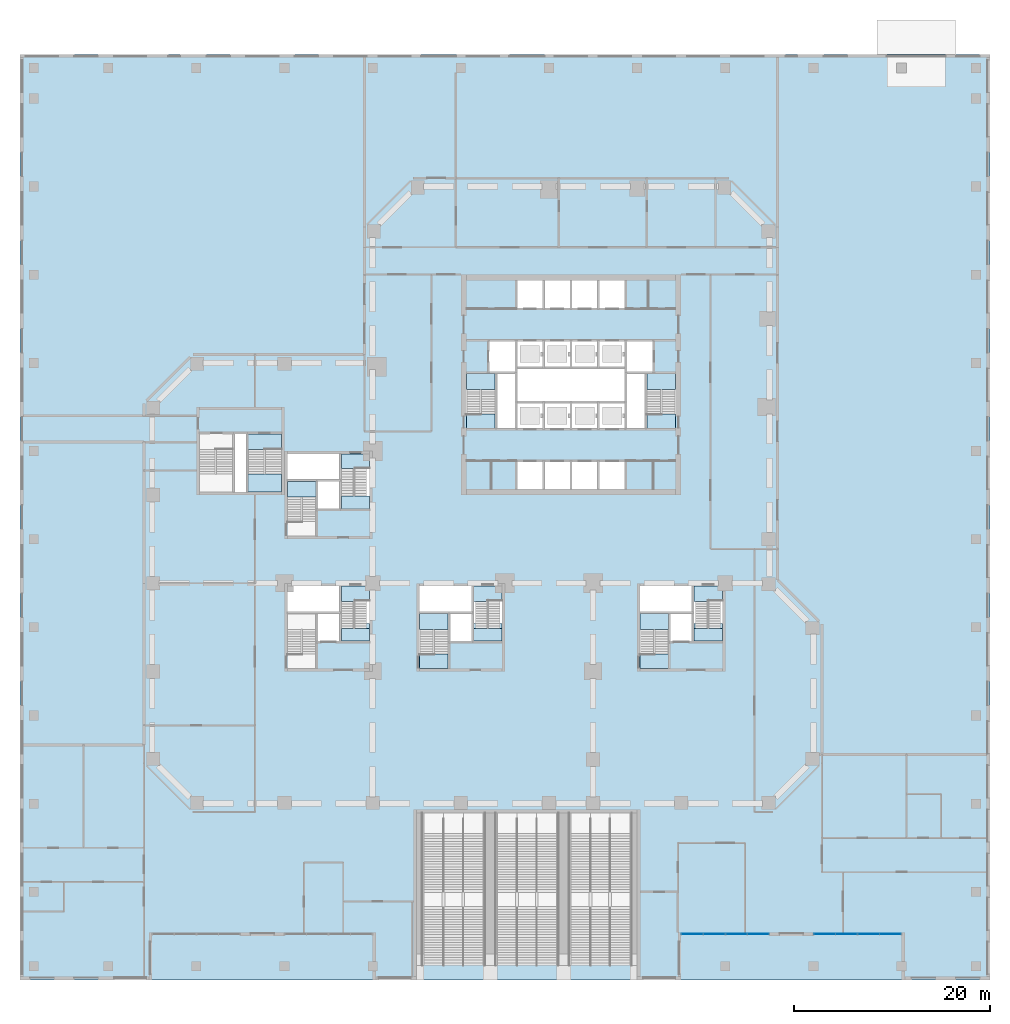
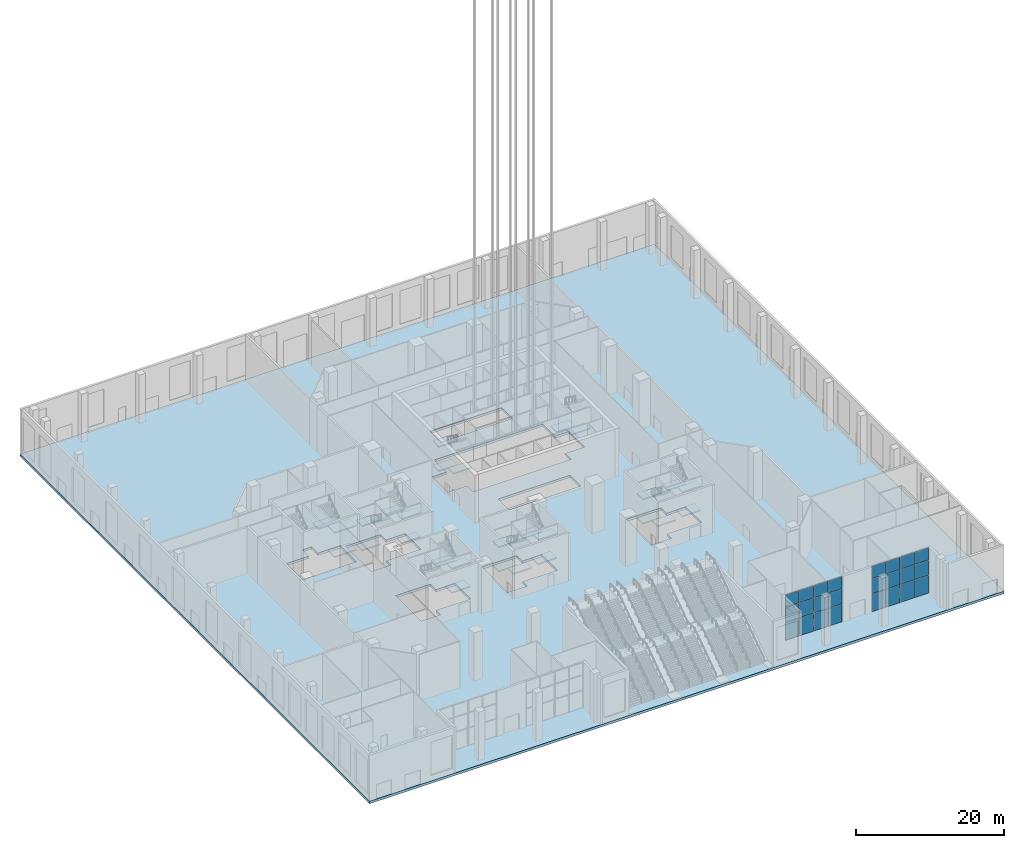
# One storey, part 6 of 32: 29 slabs, 24 plates, 14 elements without a shape of their own.
"""IFC4 building model written with IfcOpenShell, lengths in metres."""

from ifc_helpers import new_model, si_unit, direction, frame, origin, origin_2d, place, context, subcontext, project, spatial, polyline, rectangle, outline, extrude, material, layer, layer_set, constituent, constituent_set, type_object, element, aggregate, save


model = new_model("IFC4")

# Units and contexts
model_context = context("Model", 3, precision=1e-05, world=origin(), true_north=direction((0.0, 1.0)))
body_context = subcontext(model_context, "Body", "Model", "MODEL_VIEW")
ifc_project = project(units=[si_unit("LENGTHUNIT", "METRE"), si_unit("AREAUNIT", "SQUARE_METRE"), si_unit("VOLUMEUNIT", "CUBIC_METRE"), si_unit("PLANEANGLEUNIT", "RADIAN"), si_unit("MASSUNIT", "GRAM", prefix="KILO")], contexts=[model_context])

# Site, building, storey
site_placement = place(None, origin())
site = spatial("IfcSite", under=ifc_project, at=site_placement, CompositionType="ELEMENT")
building_placement = place(site_placement, origin())
building = spatial("IfcBuilding", under=site, at=building_placement, Name="Quoin Convention Tower", CompositionType="ELEMENT")
storey_placement = place(building_placement, origin())
storey = spatial("IfcBuildingStorey", under=building, at=storey_placement, Name="L00", CompositionType="ELEMENT", Elevation=0.0)

# Curtain wall, plates
ifc_material_1 = material(Name="Aluminium", Category="aluminium")
ifc_constituent_1 = constituent(ifc_material_1, Name="Frame")
ifc_material_2 = material(Name="Insulated glass", Category="glass")
ifc_constituent_2 = constituent(ifc_material_2, Name="Glazing")
ifc_constituent_set = constituent_set(constituents=[ifc_constituent_1, ifc_constituent_2], Name="Aluminium")
curtain_wall_type = type_object("IfcCurtainWallType", Name="Entrance wall system", PredefinedType="NOTDEFINED", material=ifc_constituent_set)
curtain_wall_1_placement = place(storey_placement, origin())
curtain_wall_1 = element("IfcCurtainWall", 1, at=curtain_wall_1_placement, inside=storey, type_object=curtain_wall_type, Name="cw-ENT-L00-67500_4675", PredefinedType="NOTDEFINED")
ifc_layer_1 = layer(ifc_material_2, 0.0439453125)
ifc_layer_set_1 = layer_set([ifc_layer_1], Name="Insulated glass")
plate_type = type_object("IfcPlateType", Name="Entrance wall glazing unit 44", PredefinedType="CURTAIN_PANEL", material=ifc_layer_set_1)
plate_1_placement = place(storey_placement, frame((68.643798828125, 4.675048828125, 0.06005859375), z_axis=(0.0, 0.0, 1.0), x_axis=(1.0, 0.0, 0.0)))
plate_1 = element("IfcPlate", 2, at=plate_1_placement, type_object=plate_type, Name="CW1 panel 1.1", PredefinedType="CURTAIN_PANEL", context=body_context, shape_type="SweptSolid", body=[
    extrude(rectangle(XDim=2.137451171875, YDim=0.0439453125, at=origin_2d()), origin(), (0.0, 0.0, 1.0), 2.909912109375),
])
plate_2_placement = place(storey_placement, frame((68.643798828125, 4.675048828125, 3.030029296875), z_axis=(0.0, 0.0, 1.0), x_axis=(1.0, 0.0, 0.0)))
plate_2 = element("IfcPlate", 3, at=plate_2_placement, type_object=plate_type, Name="CW1 panel 1.2", PredefinedType="CURTAIN_PANEL", context=body_context, shape_type="SweptSolid", body=[
    extrude(rectangle(XDim=2.137451171875, YDim=0.0439453125, at=origin_2d()), origin(), (0.0, 0.0, 1.0), 2.43994140625),
])
plate_3_placement = place(storey_placement, frame((68.643798828125, 4.675048828125, 5.530029296875), z_axis=(0.0, 0.0, 1.0), x_axis=(1.0, 0.0, 0.0)))
plate_3 = element("IfcPlate", 4, at=plate_3_placement, type_object=plate_type, Name="CW1 panel 1.3", PredefinedType="CURTAIN_PANEL", context=body_context, shape_type="SweptSolid", body=[
    extrude(rectangle(XDim=2.137451171875, YDim=0.0439453125, at=origin_2d()), origin(), (0.0, 0.0, 1.0), 2.0),
])
plate_4_placement = place(storey_placement, frame((70.856201171875, 4.675048828125, 0.06005859375), z_axis=(0.0, 0.0, 1.0), x_axis=(1.0, 0.0, 0.0)))
plate_4 = element("IfcPlate", 5, at=plate_4_placement, type_object=plate_type, Name="CW1 panel 2.1", PredefinedType="CURTAIN_PANEL", context=body_context, shape_type="SweptSolid", body=[
    extrude(rectangle(XDim=2.137451171875, YDim=0.0439453125, at=origin_2d()), origin(), (0.0, 0.0, 1.0), 2.909912109375),
])
plate_5_placement = place(storey_placement, frame((70.856201171875, 4.675048828125, 3.030029296875), z_axis=(0.0, 0.0, 1.0), x_axis=(1.0, 0.0, 0.0)))
plate_5 = element("IfcPlate", 6, at=plate_5_placement, type_object=plate_type, Name="CW1 panel 2.2", PredefinedType="CURTAIN_PANEL", context=body_context, shape_type="SweptSolid", body=[
    extrude(rectangle(XDim=2.137451171875, YDim=0.0439453125, at=origin_2d()), origin(), (0.0, 0.0, 1.0), 2.43994140625),
])
plate_6_placement = place(storey_placement, frame((70.856201171875, 4.675048828125, 5.530029296875), z_axis=(0.0, 0.0, 1.0), x_axis=(1.0, 0.0, 0.0)))
plate_6 = element("IfcPlate", 7, at=plate_6_placement, type_object=plate_type, Name="CW1 panel 2.3", PredefinedType="CURTAIN_PANEL", context=body_context, shape_type="SweptSolid", body=[
    extrude(rectangle(XDim=2.137451171875, YDim=0.0439453125, at=origin_2d()), origin(), (0.0, 0.0, 1.0), 2.0),
])
aggregate(curtain_wall_1, [plate_1, plate_2, plate_3, plate_4, plate_5, plate_6])

curtain_wall_2_placement = place(storey_placement, origin())
curtain_wall_2 = element("IfcCurtainWall", 8, at=curtain_wall_2_placement, inside=storey, type_object=curtain_wall_type, Name="cw-ENT-L00-72000_4675", PredefinedType="NOTDEFINED")
plate_7_placement = place(storey_placement, frame((73.143798828125, 4.675048828125, 0.06005859375), z_axis=(0.0, 0.0, 1.0), x_axis=(1.0, 0.0, 0.0)))
plate_7 = element("IfcPlate", 9, at=plate_7_placement, type_object=plate_type, Name="CW1 panel 1.1", PredefinedType="CURTAIN_PANEL", context=body_context, shape_type="SweptSolid", body=[
    extrude(rectangle(XDim=2.137451171875, YDim=0.0439453125, at=origin_2d()), origin(), (0.0, 0.0, 1.0), 2.909912109375),
])
plate_8_placement = place(storey_placement, frame((73.143798828125, 4.675048828125, 3.030029296875), z_axis=(0.0, 0.0, 1.0), x_axis=(1.0, 0.0, 0.0)))
plate_8 = element("IfcPlate", 10, at=plate_8_placement, type_object=plate_type, Name="CW1 panel 1.2", PredefinedType="CURTAIN_PANEL", context=body_context, shape_type="SweptSolid", body=[
    extrude(rectangle(XDim=2.137451171875, YDim=0.0439453125, at=origin_2d()), origin(), (0.0, 0.0, 1.0), 2.43994140625),
])
plate_9_placement = place(storey_placement, frame((73.143798828125, 4.675048828125, 5.530029296875), z_axis=(0.0, 0.0, 1.0), x_axis=(1.0, 0.0, 0.0)))
plate_9 = element("IfcPlate", 11, at=plate_9_placement, type_object=plate_type, Name="CW1 panel 1.3", PredefinedType="CURTAIN_PANEL", context=body_context, shape_type="SweptSolid", body=[
    extrude(rectangle(XDim=2.137451171875, YDim=0.0439453125, at=origin_2d()), origin(), (0.0, 0.0, 1.0), 2.0),
])
plate_10_placement = place(storey_placement, frame((75.356201171875, 4.675048828125, 0.06005859375), z_axis=(0.0, 0.0, 1.0), x_axis=(1.0, 0.0, 0.0)))
plate_10 = element("IfcPlate", 12, at=plate_10_placement, type_object=plate_type, Name="CW1 panel 2.1", PredefinedType="CURTAIN_PANEL", context=body_context, shape_type="SweptSolid", body=[
    extrude(rectangle(XDim=2.137451171875, YDim=0.0439453125, at=origin_2d()), origin(), (0.0, 0.0, 1.0), 2.909912109375),
])
plate_11_placement = place(storey_placement, frame((75.356201171875, 4.675048828125, 3.030029296875), z_axis=(0.0, 0.0, 1.0), x_axis=(1.0, 0.0, 0.0)))
plate_11 = element("IfcPlate", 13, at=plate_11_placement, type_object=plate_type, Name="CW1 panel 2.2", PredefinedType="CURTAIN_PANEL", context=body_context, shape_type="SweptSolid", body=[
    extrude(rectangle(XDim=2.137451171875, YDim=0.0439453125, at=origin_2d()), origin(), (0.0, 0.0, 1.0), 2.43994140625),
])
plate_12_placement = place(storey_placement, frame((75.356201171875, 4.675048828125, 5.530029296875), z_axis=(0.0, 0.0, 1.0), x_axis=(1.0, 0.0, 0.0)))
plate_12 = element("IfcPlate", 14, at=plate_12_placement, type_object=plate_type, Name="CW1 panel 2.3", PredefinedType="CURTAIN_PANEL", context=body_context, shape_type="SweptSolid", body=[
    extrude(rectangle(XDim=2.137451171875, YDim=0.0439453125, at=origin_2d()), origin(), (0.0, 0.0, 1.0), 2.0),
])
aggregate(curtain_wall_2, [plate_7, plate_8, plate_9, plate_10, plate_11, plate_12])

curtain_wall_3_placement = place(storey_placement, origin())
curtain_wall_3 = element("IfcCurtainWall", 15, at=curtain_wall_3_placement, inside=storey, type_object=curtain_wall_type, Name="cw-ENT-L00-81000_4675", PredefinedType="NOTDEFINED")
plate_13_placement = place(storey_placement, frame((82.143798828125, 4.675048828125, 0.06005859375), z_axis=(0.0, 0.0, 1.0), x_axis=(1.0, 0.0, 0.0)))
plate_13 = element("IfcPlate", 16, at=plate_13_placement, type_object=plate_type, Name="CW1 panel 1.1", PredefinedType="CURTAIN_PANEL", context=body_context, shape_type="SweptSolid", body=[
    extrude(rectangle(XDim=2.137451171875, YDim=0.0439453125, at=origin_2d()), origin(), (0.0, 0.0, 1.0), 2.909912109375),
])
plate_14_placement = place(storey_placement, frame((82.143798828125, 4.675048828125, 3.030029296875), z_axis=(0.0, 0.0, 1.0), x_axis=(1.0, 0.0, 0.0)))
plate_14 = element("IfcPlate", 17, at=plate_14_placement, type_object=plate_type, Name="CW1 panel 1.2", PredefinedType="CURTAIN_PANEL", context=body_context, shape_type="SweptSolid", body=[
    extrude(rectangle(XDim=2.137451171875, YDim=0.0439453125, at=origin_2d()), origin(), (0.0, 0.0, 1.0), 2.43994140625),
])
plate_15_placement = place(storey_placement, frame((82.143798828125, 4.675048828125, 5.530029296875), z_axis=(0.0, 0.0, 1.0), x_axis=(1.0, 0.0, 0.0)))
plate_15 = element("IfcPlate", 18, at=plate_15_placement, type_object=plate_type, Name="CW1 panel 1.3", PredefinedType="CURTAIN_PANEL", context=body_context, shape_type="SweptSolid", body=[
    extrude(rectangle(XDim=2.137451171875, YDim=0.0439453125, at=origin_2d()), origin(), (0.0, 0.0, 1.0), 2.0),
])
plate_16_placement = place(storey_placement, frame((84.356201171875, 4.675048828125, 0.06005859375), z_axis=(0.0, 0.0, 1.0), x_axis=(1.0, 0.0, 0.0)))
plate_16 = element("IfcPlate", 19, at=plate_16_placement, type_object=plate_type, Name="CW1 panel 2.1", PredefinedType="CURTAIN_PANEL", context=body_context, shape_type="SweptSolid", body=[
    extrude(rectangle(XDim=2.137451171875, YDim=0.0439453125, at=origin_2d()), origin(), (0.0, 0.0, 1.0), 2.909912109375),
])
plate_17_placement = place(storey_placement, frame((84.356201171875, 4.675048828125, 3.030029296875), z_axis=(0.0, 0.0, 1.0), x_axis=(1.0, 0.0, 0.0)))
plate_17 = element("IfcPlate", 20, at=plate_17_placement, type_object=plate_type, Name="CW1 panel 2.2", PredefinedType="CURTAIN_PANEL", context=body_context, shape_type="SweptSolid", body=[
    extrude(rectangle(XDim=2.137451171875, YDim=0.0439453125, at=origin_2d()), origin(), (0.0, 0.0, 1.0), 2.43994140625),
])
plate_18_placement = place(storey_placement, frame((84.356201171875, 4.675048828125, 5.530029296875), z_axis=(0.0, 0.0, 1.0), x_axis=(1.0, 0.0, 0.0)))
plate_18 = element("IfcPlate", 21, at=plate_18_placement, type_object=plate_type, Name="CW1 panel 2.3", PredefinedType="CURTAIN_PANEL", context=body_context, shape_type="SweptSolid", body=[
    extrude(rectangle(XDim=2.137451171875, YDim=0.0439453125, at=origin_2d()), origin(), (0.0, 0.0, 1.0), 2.0),
])
aggregate(curtain_wall_3, [plate_13, plate_14, plate_15, plate_16, plate_17, plate_18])

curtain_wall_4_placement = place(storey_placement, origin())
curtain_wall_4 = element("IfcCurtainWall", 22, at=curtain_wall_4_placement, inside=storey, type_object=curtain_wall_type, Name="cw-ENT-L00-85500_4675", PredefinedType="NOTDEFINED")
plate_19_placement = place(storey_placement, frame((86.643798828125, 4.675048828125, 0.06005859375), z_axis=(0.0, 0.0, 1.0), x_axis=(1.0, 0.0, 0.0)))
plate_19 = element("IfcPlate", 23, at=plate_19_placement, type_object=plate_type, Name="CW1 panel 1.1", PredefinedType="CURTAIN_PANEL", context=body_context, shape_type="SweptSolid", body=[
    extrude(rectangle(XDim=2.137451171875, YDim=0.0439453125, at=origin_2d()), origin(), (0.0, 0.0, 1.0), 2.909912109375),
])
plate_20_placement = place(storey_placement, frame((86.643798828125, 4.675048828125, 3.030029296875), z_axis=(0.0, 0.0, 1.0), x_axis=(1.0, 0.0, 0.0)))
plate_20 = element("IfcPlate", 24, at=plate_20_placement, type_object=plate_type, Name="CW1 panel 1.2", PredefinedType="CURTAIN_PANEL", context=body_context, shape_type="SweptSolid", body=[
    extrude(rectangle(XDim=2.137451171875, YDim=0.0439453125, at=origin_2d()), origin(), (0.0, 0.0, 1.0), 2.43994140625),
])
plate_21_placement = place(storey_placement, frame((86.643798828125, 4.675048828125, 5.530029296875), z_axis=(0.0, 0.0, 1.0), x_axis=(1.0, 0.0, 0.0)))
plate_21 = element("IfcPlate", 25, at=plate_21_placement, type_object=plate_type, Name="CW1 panel 1.3", PredefinedType="CURTAIN_PANEL", context=body_context, shape_type="SweptSolid", body=[
    extrude(rectangle(XDim=2.137451171875, YDim=0.0439453125, at=origin_2d()), origin(), (0.0, 0.0, 1.0), 2.0),
])
plate_22_placement = place(storey_placement, frame((88.856201171875, 4.675048828125, 0.06005859375), z_axis=(0.0, 0.0, 1.0), x_axis=(1.0, 0.0, 0.0)))
plate_22 = element("IfcPlate", 26, at=plate_22_placement, type_object=plate_type, Name="CW1 panel 2.1", PredefinedType="CURTAIN_PANEL", context=body_context, shape_type="SweptSolid", body=[
    extrude(rectangle(XDim=2.137451171875, YDim=0.0439453125, at=origin_2d()), origin(), (0.0, 0.0, 1.0), 2.909912109375),
])
plate_23_placement = place(storey_placement, frame((88.856201171875, 4.675048828125, 3.030029296875), z_axis=(0.0, 0.0, 1.0), x_axis=(1.0, 0.0, 0.0)))
plate_23 = element("IfcPlate", 27, at=plate_23_placement, type_object=plate_type, Name="CW1 panel 2.2", PredefinedType="CURTAIN_PANEL", context=body_context, shape_type="SweptSolid", body=[
    extrude(rectangle(XDim=2.137451171875, YDim=0.0439453125, at=origin_2d()), origin(), (0.0, 0.0, 1.0), 2.43994140625),
])
plate_24_placement = place(storey_placement, frame((88.856201171875, 4.675048828125, 5.530029296875), z_axis=(0.0, 0.0, 1.0), x_axis=(1.0, 0.0, 0.0)))
plate_24 = element("IfcPlate", 28, at=plate_24_placement, type_object=plate_type, Name="CW1 panel 2.3", PredefinedType="CURTAIN_PANEL", context=body_context, shape_type="SweptSolid", body=[
    extrude(rectangle(XDim=2.137451171875, YDim=0.0439453125, at=origin_2d()), origin(), (0.0, 0.0, 1.0), 2.0),
])
aggregate(curtain_wall_4, [plate_19, plate_20, plate_21, plate_22, plate_23, plate_24])

# Slab
ifc_material_3 = material(Name="Concrete C65", Category="concrete")
ifc_layer_2 = layer(ifc_material_3, 0.39990234375)
ifc_layer_set_2 = layer_set([ifc_layer_2], Name="Concrete C65")
slab_type_1 = type_object("IfcSlabType", Name="RC SLAB 400 C65", PredefinedType="FLOOR", material=ifc_layer_set_2)
slab_1_placement = place(storey_placement, frame((0.0, 0.0, -0.39990234375)))
element("IfcSlab", 29, at=slab_1_placement, inside=storey, type_object=slab_type_1, Name="slb-L00", PredefinedType="FLOOR", context=body_context, shape_type="SweptSolid", body=[
    extrude(outline(polyline([(0.0, 0.0), (0.0, 94.5), (99.0, 94.5), (99.0, 0.0), (0.0, 0.0)]), holes=[polyline([(35.699951171875, 34.5), (35.699951171875, 38.699462890625), (32.699951171875, 38.699462890625), (32.699951171875, 40.199951171875), (27.300048828125, 40.199951171875), (27.300048828125, 37.5), (27.300048828125, 33.300537109375), (30.300048828125, 33.300537109375), (30.300048828125, 34.5), (32.699951171875, 34.5), (35.699951171875, 34.5)]), polyline([(43.800048828125, 34.5), (46.199951171875, 34.5), (49.199951171875, 34.5), (49.199951171875, 38.699462890625), (46.199951171875, 38.699462890625), (46.199951171875, 40.199951171875), (40.800048828125, 40.199951171875), (40.800048828125, 37.5), (40.800048828125, 33.300537109375), (43.800048828125, 33.300537109375), (43.800048828125, 34.5)]), polyline([(35.699951171875, 52.199462890625), (32.699951171875, 52.199462890625), (32.699951171875, 53.699951171875), (27.300048828125, 53.699951171875), (27.300048828125, 51.0), (27.300048828125, 46.800537109375), (30.300048828125, 46.800537109375), (30.300048828125, 48.0), (32.699951171875, 48.0), (35.699951171875, 48.0), (35.699951171875, 52.199462890625)]), polyline([(21.800048828125, 55.85009765625), (21.800048828125, 54.1494140625), (18.300048828125, 54.1494140625), (18.300048828125, 49.800048828125), (21.800048828125, 49.800048828125), (23.199951171875, 49.800048828125), (26.699951171875, 49.800048828125), (26.699951171875, 54.1494140625), (23.199951171875, 54.1494140625), (23.199951171875, 55.85009765625), (21.800048828125, 55.85009765625)]), polyline([(56.25, 50.10009765625), (59.050048828125, 50.10009765625), (61.85009765625, 50.10009765625), (61.85009765625, 53.0), (59.050048828125, 53.0), (56.25, 53.0), (53.449951171875, 53.0), (50.64990234375, 53.0), (50.64990234375, 50.10009765625), (53.449951171875, 50.10009765625), (56.25, 50.10009765625)]), polyline([(56.25, 56.199951171875), (59.050048828125, 56.199951171875), (61.85009765625, 56.199951171875), (63.89990234375, 56.199951171875), (63.89990234375, 57.800537109375), (66.89990234375, 57.800537109375), (66.89990234375, 62.0), (64.699951171875, 62.0), (64.699951171875, 65.300048828125), (61.85009765625, 65.300048828125), (59.050048828125, 65.300048828125), (56.25, 65.300048828125), (53.449951171875, 65.300048828125), (50.64990234375, 65.300048828125), (47.800048828125, 65.300048828125), (47.800048828125, 62.0), (45.60009765625, 62.0), (45.60009765625, 57.800537109375), (48.60009765625, 57.800537109375), (48.60009765625, 56.199951171875), (50.64990234375, 56.199951171875), (53.449951171875, 56.199951171875), (56.25, 56.199951171875)]), polyline([(50.64990234375, 71.39990234375), (50.64990234375, 68.5), (53.449951171875, 68.5), (56.25, 68.5), (59.050048828125, 68.5), (61.85009765625, 68.5), (61.85009765625, 71.39990234375), (59.050048828125, 71.39990234375), (56.25, 71.39990234375), (53.449951171875, 71.39990234375), (50.64990234375, 71.39990234375)]), polyline([(71.699951171875, 38.699462890625), (68.699951171875, 38.699462890625), (68.699951171875, 40.199951171875), (63.300048828125, 40.199951171875), (63.300048828125, 37.5), (63.300048828125, 33.300537109375), (66.300048828125, 33.300537109375), (66.300048828125, 34.5), (68.699951171875, 34.5), (71.699951171875, 34.5), (71.699951171875, 38.699462890625)])]), origin(), (0.0, 0.0, 1.0), 0.39990234375),
])

# Stair, slabs
ifc_material_4 = material(Name="Concrete C40", Category="concrete")
stair_type_1 = type_object("IfcStairType", Name="Exit stair four-flight 1350", PredefinedType="DOUBLE_RETURN_STAIR", material=ifc_material_4)
stair_1_placement = place(storey_placement, origin())
stair_1 = element("IfcStair", 30, at=stair_1_placement, inside=storey, type_object=stair_type_1, Name="SD1 L00", PredefinedType="DOUBLE_RETURN_STAIR")
ifc_layer_3 = layer(ifc_material_4, 0.199951171875)
ifc_layer_set_3 = layer_set([ifc_layer_3], Name="Concrete C40")
slab_type_2 = type_object("IfcSlabType", Name="Stair landing 200", PredefinedType="LANDING", material=ifc_layer_set_3)
slab_2_placement = place(storey_placement, frame((0.0, 0.0, 1.800048828125)))
slab_2 = element("IfcSlab", 31, at=slab_2_placement, type_object=slab_type_2, Name="ST1 landing 1", PredefinedType="LANDING", context=body_context, shape_type="SweptSolid", body=[
    extrude(outline(polyline([(45.60009765625, 60.300048828125), (48.5, 60.300048828125), (48.5, 61.89990234375), (45.60009765625, 61.89990234375), (45.60009765625, 60.300048828125)])), origin(), (0.0, 0.0, 1.0), 0.199951171875),
])
slab_3_placement = place(storey_placement, frame((0.0, 0.0, 3.800048828125)))
slab_3 = element("IfcSlab", 32, at=slab_3_placement, type_object=slab_type_2, Name="ST1 landing 2", PredefinedType="LANDING", context=body_context, shape_type="SweptSolid", body=[
    extrude(outline(polyline([(45.60009765625, 56.300048828125), (48.5, 56.300048828125), (48.5, 57.800048828125), (45.60009765625, 57.800048828125), (45.60009765625, 56.300048828125)])), origin(), (0.0, 0.0, 1.0), 0.199951171875),
])
slab_4_placement = place(storey_placement, frame((0.0, 0.0, 5.800048828125)))
slab_4 = element("IfcSlab", 33, at=slab_4_placement, type_object=slab_type_2, Name="ST1 landing 3", PredefinedType="LANDING", context=body_context, shape_type="SweptSolid", body=[
    extrude(outline(polyline([(45.60009765625, 60.300048828125), (48.5, 60.300048828125), (48.5, 61.89990234375), (45.60009765625, 61.89990234375), (45.60009765625, 60.300048828125)])), origin(), (0.0, 0.0, 1.0), 0.199951171875),
])
aggregate(stair_1, [slab_2, slab_3, slab_4])

stair_2_placement = place(storey_placement, origin())
stair_2 = element("IfcStair", 34, at=stair_2_placement, inside=storey, type_object=stair_type_1, Name="SD2 L00", PredefinedType="DOUBLE_RETURN_STAIR")
slab_5_placement = place(storey_placement, frame((0.0, 0.0, 1.800048828125)))
slab_5 = element("IfcSlab", 35, at=slab_5_placement, type_object=slab_type_2, Name="ST2 landing 1", PredefinedType="LANDING", context=body_context, shape_type="SweptSolid", body=[
    extrude(outline(polyline([(64.0, 60.300048828125), (66.89990234375, 60.300048828125), (66.89990234375, 61.89990234375), (64.0, 61.89990234375), (64.0, 60.300048828125)])), origin(), (0.0, 0.0, 1.0), 0.199951171875),
])
slab_6_placement = place(storey_placement, frame((0.0, 0.0, 3.800048828125)))
slab_6 = element("IfcSlab", 36, at=slab_6_placement, type_object=slab_type_2, Name="ST2 landing 2", PredefinedType="LANDING", context=body_context, shape_type="SweptSolid", body=[
    extrude(outline(polyline([(64.0, 56.300048828125), (66.89990234375, 56.300048828125), (66.89990234375, 57.800048828125), (64.0, 57.800048828125), (64.0, 56.300048828125)])), origin(), (0.0, 0.0, 1.0), 0.199951171875),
])
aggregate(stair_2, [slab_5, slab_6])

stair_3_placement = place(storey_placement, origin())
stair_3 = element("IfcStair", 37, at=stair_3_placement, inside=storey, type_object=stair_type_1, Name="SD3 L00", PredefinedType="DOUBLE_RETURN_STAIR")
slab_7_placement = place(storey_placement, frame((0.0, 0.0, 1.800048828125)))
slab_7 = element("IfcSlab", 38, at=slab_7_placement, type_object=slab_type_2, Name="ST3 landing 1", PredefinedType="LANDING", context=body_context, shape_type="SweptSolid", body=[
    extrude(outline(polyline([(27.300048828125, 49.300048828125), (30.199951171875, 49.300048828125), (30.199951171875, 50.89990234375), (27.300048828125, 50.89990234375), (27.300048828125, 49.300048828125)])), origin(), (0.0, 0.0, 1.0), 0.199951171875),
])
slab_8_placement = place(storey_placement, frame((0.0, 0.0, 5.800048828125)))
slab_8 = element("IfcSlab", 39, at=slab_8_placement, type_object=slab_type_2, Name="ST3 landing 3", PredefinedType="LANDING", context=body_context, shape_type="SweptSolid", body=[
    extrude(outline(polyline([(27.300048828125, 49.300048828125), (30.199951171875, 49.300048828125), (30.199951171875, 50.89990234375), (27.300048828125, 50.89990234375), (27.300048828125, 49.300048828125)])), origin(), (0.0, 0.0, 1.0), 0.199951171875),
])
aggregate(stair_3, [slab_7, slab_8])

stair_type_2 = type_object("IfcStairType", Name="Exit stair four-flight 1200", PredefinedType="DOUBLE_RETURN_STAIR", material=ifc_material_4)
stair_4_placement = place(storey_placement, origin())
stair_4 = element("IfcStair", 40, at=stair_4_placement, inside=storey, type_object=stair_type_2, Name="SD4 L00", PredefinedType="DOUBLE_RETURN_STAIR")
slab_9_placement = place(storey_placement, frame((0.0, 0.0, 1.800048828125)))
slab_9 = element("IfcSlab", 41, at=slab_9_placement, type_object=slab_type_2, Name="ST4 landing 1", PredefinedType="LANDING", context=body_context, shape_type="SweptSolid", body=[
    extrude(outline(polyline([(35.699951171875, 49.39990234375), (32.800048828125, 49.39990234375), (32.800048828125, 48.10009765625), (35.699951171875, 48.10009765625), (35.699951171875, 49.39990234375)])), origin(), (0.0, 0.0, 1.0), 0.199951171875),
])
slab_10_placement = place(storey_placement, frame((0.0, 0.0, 3.800048828125)))
slab_10 = element("IfcSlab", 42, at=slab_10_placement, type_object=slab_type_2, Name="ST4 landing 2", PredefinedType="LANDING", context=body_context, shape_type="SweptSolid", body=[
    extrude(outline(polyline([(35.699951171875, 53.699951171875), (32.800048828125, 53.699951171875), (32.800048828125, 52.199951171875), (35.699951171875, 52.199951171875), (35.699951171875, 53.699951171875)])), origin(), (0.0, 0.0, 1.0), 0.199951171875),
])
slab_11_placement = place(storey_placement, frame((0.0, 0.0, 5.800048828125)))
slab_11 = element("IfcSlab", 43, at=slab_11_placement, type_object=slab_type_2, Name="ST4 landing 3", PredefinedType="LANDING", context=body_context, shape_type="SweptSolid", body=[
    extrude(outline(polyline([(35.699951171875, 49.39990234375), (32.800048828125, 49.39990234375), (32.800048828125, 48.10009765625), (35.699951171875, 48.10009765625), (35.699951171875, 49.39990234375)])), origin(), (0.0, 0.0, 1.0), 0.199951171875),
])
aggregate(stair_4, [slab_9, slab_10, slab_11])

stair_5_placement = place(storey_placement, origin())
stair_5 = element("IfcStair", 44, at=stair_5_placement, inside=storey, type_object=stair_type_1, Name="SD5 L00", PredefinedType="DOUBLE_RETURN_STAIR")
slab_12_placement = place(storey_placement, frame((0.0, 0.0, 1.800048828125)))
slab_12 = element("IfcSlab", 45, at=slab_12_placement, type_object=slab_type_2, Name="ST5 landing 1", PredefinedType="LANDING", context=body_context, shape_type="SweptSolid", body=[
    extrude(outline(polyline([(40.800048828125, 35.800048828125), (43.699951171875, 35.800048828125), (43.699951171875, 37.39990234375), (40.800048828125, 37.39990234375), (40.800048828125, 35.800048828125)])), origin(), (0.0, 0.0, 1.0), 0.199951171875),
])
slab_13_placement = place(storey_placement, frame((0.0, 0.0, 3.800048828125)))
slab_13 = element("IfcSlab", 46, at=slab_13_placement, type_object=slab_type_2, Name="ST5 landing 2", PredefinedType="LANDING", context=body_context, shape_type="SweptSolid", body=[
    extrude(outline(polyline([(40.800048828125, 31.800048828125), (43.699951171875, 31.800048828125), (43.699951171875, 33.300048828125), (40.800048828125, 33.300048828125), (40.800048828125, 31.800048828125)])), origin(), (0.0, 0.0, 1.0), 0.199951171875),
])
slab_14_placement = place(storey_placement, frame((0.0, 0.0, 5.800048828125)))
slab_14 = element("IfcSlab", 47, at=slab_14_placement, type_object=slab_type_2, Name="ST5 landing 3", PredefinedType="LANDING", context=body_context, shape_type="SweptSolid", body=[
    extrude(outline(polyline([(40.800048828125, 35.800048828125), (43.699951171875, 35.800048828125), (43.699951171875, 37.39990234375), (40.800048828125, 37.39990234375), (40.800048828125, 35.800048828125)])), origin(), (0.0, 0.0, 1.0), 0.199951171875),
])
aggregate(stair_5, [slab_12, slab_13, slab_14])

stair_6_placement = place(storey_placement, origin())
stair_6 = element("IfcStair", 48, at=stair_6_placement, inside=storey, type_object=stair_type_2, Name="SD6 L00", PredefinedType="DOUBLE_RETURN_STAIR")
slab_15_placement = place(storey_placement, frame((0.0, 0.0, 1.800048828125)))
slab_15 = element("IfcSlab", 49, at=slab_15_placement, type_object=slab_type_2, Name="ST6 landing 1", PredefinedType="LANDING", context=body_context, shape_type="SweptSolid", body=[
    extrude(outline(polyline([(49.199951171875, 36.39990234375), (46.300048828125, 36.39990234375), (46.300048828125, 34.60009765625), (49.199951171875, 34.60009765625), (49.199951171875, 36.39990234375)])), origin(), (0.0, 0.0, 1.0), 0.199951171875),
])
slab_16_placement = place(storey_placement, frame((0.0, 0.0, 3.6181640625)))
slab_16 = element("IfcSlab", 50, at=slab_16_placement, type_object=slab_type_2, Name="ST6 landing 2", PredefinedType="LANDING", context=body_context, shape_type="SweptSolid", body=[
    extrude(outline(polyline([(49.199951171875, 40.199951171875), (46.300048828125, 40.199951171875), (46.300048828125, 38.64990234375), (49.199951171875, 38.64990234375), (49.199951171875, 40.199951171875)])), origin(), (0.0, 0.0, 1.0), 0.199951171875),
])
slab_17_placement = place(storey_placement, frame((0.0, 0.0, 5.800048828125)))
slab_17 = element("IfcSlab", 51, at=slab_17_placement, type_object=slab_type_2, Name="ST6 landing 3", PredefinedType="LANDING", context=body_context, shape_type="SweptSolid", body=[
    extrude(outline(polyline([(49.199951171875, 35.89990234375), (46.300048828125, 35.89990234375), (46.300048828125, 34.60009765625), (49.199951171875, 34.60009765625), (49.199951171875, 35.89990234375)])), origin(), (0.0, 0.0, 1.0), 0.199951171875),
])
aggregate(stair_6, [slab_15, slab_16, slab_17])

stair_7_placement = place(storey_placement, origin())
stair_7 = element("IfcStair", 52, at=stair_7_placement, inside=storey, type_object=stair_type_2, Name="SD8 L00", PredefinedType="DOUBLE_RETURN_STAIR")
slab_18_placement = place(storey_placement, frame((0.0, 0.0, 1.800048828125)))
slab_18 = element("IfcSlab", 53, at=slab_18_placement, type_object=slab_type_2, Name="ST8 landing 1", PredefinedType="LANDING", context=body_context, shape_type="SweptSolid", body=[
    extrude(outline(polyline([(35.699951171875, 36.39990234375), (32.800048828125, 36.39990234375), (32.800048828125, 34.60009765625), (35.699951171875, 34.60009765625), (35.699951171875, 36.39990234375)])), origin(), (0.0, 0.0, 1.0), 0.199951171875),
])
slab_19_placement = place(storey_placement, frame((0.0, 0.0, 3.6181640625)))
slab_19 = element("IfcSlab", 54, at=slab_19_placement, type_object=slab_type_2, Name="ST8 landing 2", PredefinedType="LANDING", context=body_context, shape_type="SweptSolid", body=[
    extrude(outline(polyline([(35.699951171875, 40.199951171875), (32.800048828125, 40.199951171875), (32.800048828125, 38.64990234375), (35.699951171875, 38.64990234375), (35.699951171875, 40.199951171875)])), origin(), (0.0, 0.0, 1.0), 0.199951171875),
])
slab_20_placement = place(storey_placement, frame((0.0, 0.0, 5.800048828125)))
slab_20 = element("IfcSlab", 55, at=slab_20_placement, type_object=slab_type_2, Name="ST8 landing 3", PredefinedType="LANDING", context=body_context, shape_type="SweptSolid", body=[
    extrude(outline(polyline([(35.699951171875, 35.89990234375), (32.800048828125, 35.89990234375), (32.800048828125, 34.60009765625), (35.699951171875, 34.60009765625), (35.699951171875, 35.89990234375)])), origin(), (0.0, 0.0, 1.0), 0.199951171875),
])
aggregate(stair_7, [slab_18, slab_19, slab_20])

stair_8_placement = place(storey_placement, origin())
stair_8 = element("IfcStair", 56, at=stair_8_placement, inside=storey, type_object=stair_type_1, Name="SD9 L00", PredefinedType="DOUBLE_RETURN_STAIR")
slab_21_placement = place(storey_placement, frame((0.0, 0.0, 1.800048828125)))
slab_21 = element("IfcSlab", 57, at=slab_21_placement, type_object=slab_type_2, Name="ST9 landing 1", PredefinedType="LANDING", context=body_context, shape_type="SweptSolid", body=[
    extrude(outline(polyline([(63.300048828125, 35.800048828125), (66.199951171875, 35.800048828125), (66.199951171875, 37.39990234375), (63.300048828125, 37.39990234375), (63.300048828125, 35.800048828125)])), origin(), (0.0, 0.0, 1.0), 0.199951171875),
])
slab_22_placement = place(storey_placement, frame((0.0, 0.0, 3.800048828125)))
slab_22 = element("IfcSlab", 58, at=slab_22_placement, type_object=slab_type_2, Name="ST9 landing 2", PredefinedType="LANDING", context=body_context, shape_type="SweptSolid", body=[
    extrude(outline(polyline([(63.300048828125, 31.800048828125), (66.199951171875, 31.800048828125), (66.199951171875, 33.300048828125), (63.300048828125, 33.300048828125), (63.300048828125, 31.800048828125)])), origin(), (0.0, 0.0, 1.0), 0.199951171875),
])
slab_23_placement = place(storey_placement, frame((0.0, 0.0, 5.800048828125)))
slab_23 = element("IfcSlab", 59, at=slab_23_placement, type_object=slab_type_2, Name="ST9 landing 3", PredefinedType="LANDING", context=body_context, shape_type="SweptSolid", body=[
    extrude(outline(polyline([(63.300048828125, 35.800048828125), (66.199951171875, 35.800048828125), (66.199951171875, 37.39990234375), (63.300048828125, 37.39990234375), (63.300048828125, 35.800048828125)])), origin(), (0.0, 0.0, 1.0), 0.199951171875),
])
aggregate(stair_8, [slab_21, slab_22, slab_23])

stair_9_placement = place(storey_placement, origin())
stair_9 = element("IfcStair", 60, at=stair_9_placement, inside=storey, type_object=stair_type_2, Name="SD10 L00", PredefinedType="DOUBLE_RETURN_STAIR")
slab_24_placement = place(storey_placement, frame((0.0, 0.0, 1.800048828125)))
slab_24 = element("IfcSlab", 61, at=slab_24_placement, type_object=slab_type_2, Name="ST10 landing 1", PredefinedType="LANDING", context=body_context, shape_type="SweptSolid", body=[
    extrude(outline(polyline([(71.699951171875, 36.39990234375), (68.800048828125, 36.39990234375), (68.800048828125, 34.60009765625), (71.699951171875, 34.60009765625), (71.699951171875, 36.39990234375)])), origin(), (0.0, 0.0, 1.0), 0.199951171875),
])
slab_25_placement = place(storey_placement, frame((0.0, 0.0, 3.6181640625)))
slab_25 = element("IfcSlab", 62, at=slab_25_placement, type_object=slab_type_2, Name="ST10 landing 2", PredefinedType="LANDING", context=body_context, shape_type="SweptSolid", body=[
    extrude(outline(polyline([(71.699951171875, 40.199951171875), (68.800048828125, 40.199951171875), (68.800048828125, 38.64990234375), (71.699951171875, 38.64990234375), (71.699951171875, 40.199951171875)])), origin(), (0.0, 0.0, 1.0), 0.199951171875),
])
slab_26_placement = place(storey_placement, frame((0.0, 0.0, 5.800048828125)))
slab_26 = element("IfcSlab", 63, at=slab_26_placement, type_object=slab_type_2, Name="ST10 landing 3", PredefinedType="LANDING", context=body_context, shape_type="SweptSolid", body=[
    extrude(outline(polyline([(71.699951171875, 35.89990234375), (68.800048828125, 35.89990234375), (68.800048828125, 34.60009765625), (71.699951171875, 34.60009765625), (71.699951171875, 35.89990234375)])), origin(), (0.0, 0.0, 1.0), 0.199951171875),
])
aggregate(stair_9, [slab_24, slab_25, slab_26])

stair_type_3 = type_object("IfcStairType", Name="Exit stair four-flight 1600", PredefinedType="DOUBLE_RETURN_STAIR", material=ifc_material_4)
stair_10_placement = place(storey_placement, origin())
stair_10 = element("IfcStair", 64, at=stair_10_placement, inside=storey, type_object=stair_type_3, Name="SD12 L00", PredefinedType="DOUBLE_RETURN_STAIR")
slab_27_placement = place(storey_placement, frame((0.0, 0.0, 1.800048828125)))
slab_27 = element("IfcSlab", 65, at=slab_27_placement, type_object=slab_type_2, Name="ST12 landing 1", PredefinedType="LANDING", context=body_context, shape_type="SweptSolid", body=[
    extrude(outline(polyline([(26.699951171875, 51.64990234375), (23.300048828125, 51.64990234375), (23.300048828125, 49.800048828125), (26.699951171875, 49.800048828125), (26.699951171875, 51.64990234375)])), origin(), (0.0, 0.0, 1.0), 0.199951171875),
])
slab_28_placement = place(storey_placement, frame((0.0, 0.0, 3.800048828125)))
slab_28 = element("IfcSlab", 66, at=slab_28_placement, type_object=slab_type_2, Name="ST12 landing 2", PredefinedType="LANDING", context=body_context, shape_type="SweptSolid", body=[
    extrude(outline(polyline([(26.699951171875, 55.75), (23.300048828125, 55.75), (23.300048828125, 54.14990234375), (26.699951171875, 54.14990234375), (26.699951171875, 55.75)])), origin(), (0.0, 0.0, 1.0), 0.199951171875),
])
slab_29_placement = place(storey_placement, frame((0.0, 0.0, 5.800048828125)))
slab_29 = element("IfcSlab", 67, at=slab_29_placement, type_object=slab_type_2, Name="ST12 landing 3", PredefinedType="LANDING", context=body_context, shape_type="SweptSolid", body=[
    extrude(outline(polyline([(26.699951171875, 51.64990234375), (23.300048828125, 51.64990234375), (23.300048828125, 49.800048828125), (26.699951171875, 49.800048828125), (26.699951171875, 51.64990234375)])), origin(), (0.0, 0.0, 1.0), 0.199951171875),
])
aggregate(stair_10, [slab_27, slab_28, slab_29])

save(model, "model.ifc")
